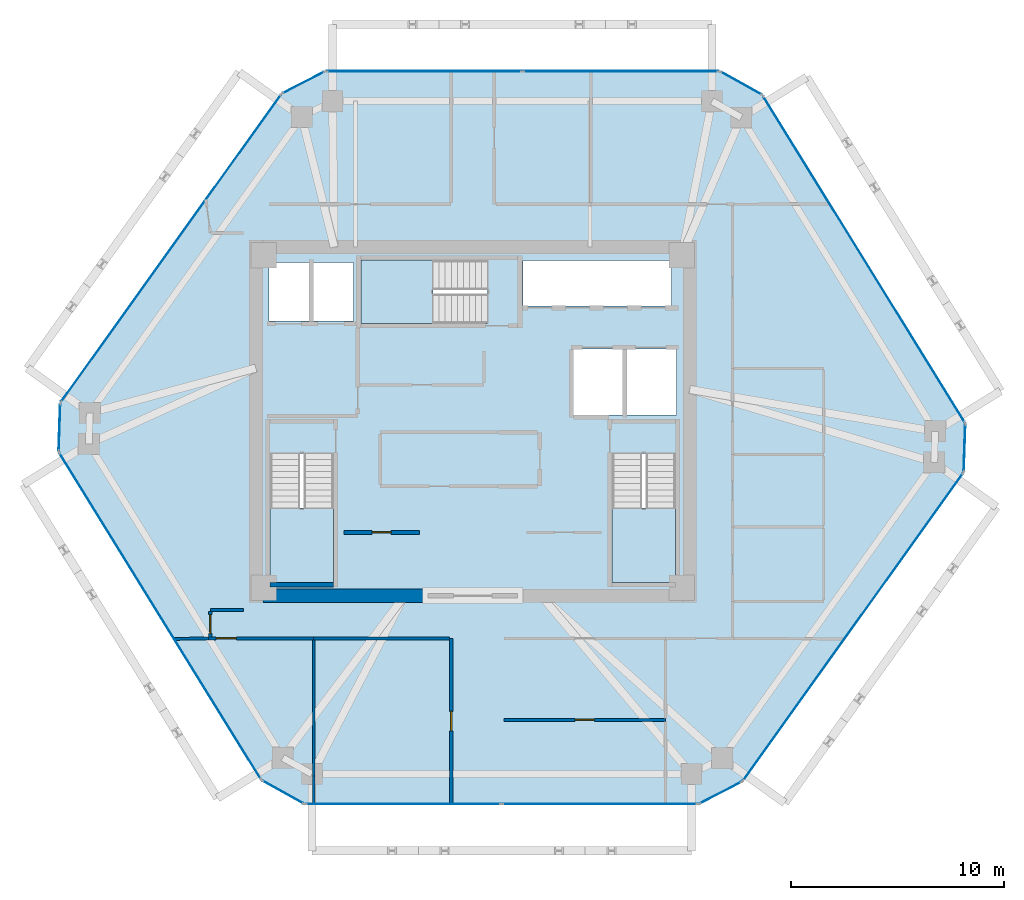
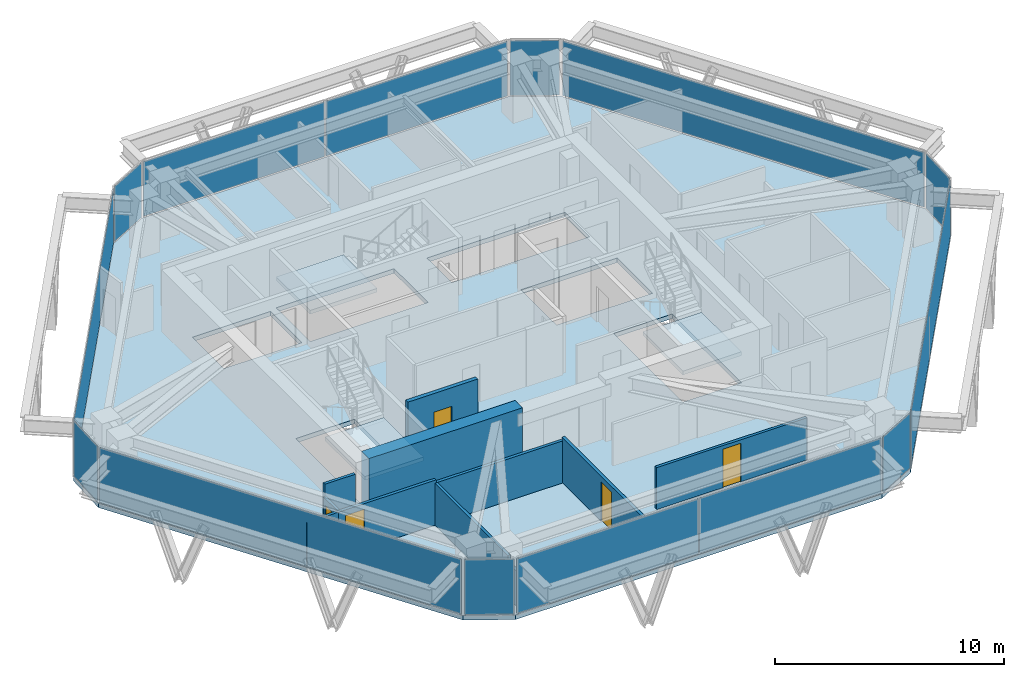
# One storey, part 7 of 11: 14 plates, 12 walls, 5 doors, 4 slabs, 5 openings, 15 elements without a shape of their own.
"""IFC4 building model written with IfcOpenShell, lengths in metres."""

from ifc_helpers import new_model, si_unit, direction, frame, frame_2d, origin, origin_2d, place, context, subcontext, project, spatial, polyline, rectangle, outline, extrude, source, transform, mapped, material, layer, layer_set, type_object, type_shapes, element, fill, aggregate, save


model = new_model("IFC4")

# Units and contexts
model_context = context("Model", 3, precision=1e-05, world=origin(), true_north=direction((0.0, 1.0)))
body_context = subcontext(model_context, "Body", "Model", "MODEL_VIEW")
ifc_project = project(units=[si_unit("LENGTHUNIT", "METRE"), si_unit("AREAUNIT", "SQUARE_METRE"), si_unit("VOLUMEUNIT", "CUBIC_METRE"), si_unit("PLANEANGLEUNIT", "RADIAN"), si_unit("MASSUNIT", "GRAM", prefix="KILO")], contexts=[model_context])

# Site, building, storey
site_placement = place(None, origin())
site = spatial("IfcSite", under=ifc_project, at=site_placement, CompositionType="ELEMENT")
building_placement = place(site_placement, origin())
building = spatial("IfcBuilding", under=site, at=building_placement, Name="Durnholm Broadcast Tower", CompositionType="ELEMENT")
storey_placement = place(building_placement, frame((0.0, 0.0, 196.89990234375)))
storey = spatial("IfcBuildingStorey", under=building, at=storey_placement, Name="L54", CompositionType="ELEMENT", Elevation=196.89990234375)

# Slab
ifc_material_1 = material(Name="Concrete C50/60", Category="concrete")
ifc_layer_1 = layer(ifc_material_1, 0.239990234375)
ifc_layer_set_1 = layer_set([ifc_layer_1], Name="Concrete C50/60")
slab_type_1 = type_object("IfcSlabType", Name="SLAB-FLR-240", PredefinedType="FLOOR", material=ifc_layer_set_1)
slab_1_placement = place(storey_placement, frame((0.0, 0.0, -0.239990234375)))
element("IfcSlab", 1, at=slab_1_placement, inside=storey, type_object=slab_type_1, Name="L54 structural floor slab", PredefinedType="FLOOR", context=body_context, shape_type="SweptSolid", body=[
    extrude(outline(polyline([(-9.912353515625, -16.822021484375), (-7.9033203125, -17.94189453125), (10.59521484375, -17.94189453125), (12.64111328125, -16.890625), (23.022705078125, -2.390380859375), (23.1005859375, -0.091552734375), (13.59033203125, 15.2978515625), (11.581298828125, 16.41796875), (-6.917236328125, 16.41796875), (-8.962890625, 15.36669921875), (-19.3447265625, 0.8662109375), (-19.422607421875, -1.432373046875), (-9.912353515625, -16.822021484375)]), holes=[polyline([(-6.5400390625, -1.5), (-9.5, -1.5), (-9.5, -7.550048828125), (-6.5400390625, -7.550048828125), (-6.5400390625, -1.5)]), polyline([(9.5, -7.550048828125), (9.5, -1.5), (6.5400390625, -1.5), (6.5400390625, -7.550048828125), (9.5, -7.550048828125)]), polyline([(9.550048828125, 3.39990234375), (4.699951171875, 3.39990234375), (4.699951171875, 0.300048828125), (9.550048828125, 0.300048828125), (9.550048828125, 3.39990234375)]), polyline([(-9.550048828125, 7.449951171875), (-9.550048828125, 4.699951171875), (-5.60009765625, 4.699951171875), (-5.60009765625, 7.449951171875), (-9.550048828125, 7.449951171875)]), polyline([(-5.25, 4.60009765625), (0.699951171875, 4.60009765625), (0.699951171875, 7.56005859375), (-5.25, 7.56005859375), (-5.25, 4.60009765625)]), polyline([(9.31005859375, 7.550048828125), (2.35009765625, 7.550048828125), (2.35009765625, 5.39990234375), (9.31005859375, 5.39990234375), (9.31005859375, 7.550048828125)])]), origin(), (0.0, 0.0, 1.0), 0.239990234375),
])

# Stair, slab
stair_type = type_object("IfcStairType", Name="STAIR-DL-20R1650", PredefinedType="HALF_TURN_STAIR", material=ifc_material_1)
stair_1_placement = place(storey_placement, origin())
stair_1 = element("IfcStair", 2, at=stair_1_placement, inside=storey, type_object=stair_type, Name="L54 ST-1", PredefinedType="HALF_TURN_STAIR")
ifc_layer_2 = layer(ifc_material_1, 0.199951171875)
ifc_layer_set_2 = layer_set([ifc_layer_2], Name="Concrete C50/60")
slab_type_2 = type_object("IfcSlabType", Name="SLAB-LND-200", PredefinedType="LANDING", material=ifc_layer_set_2)
slab_2_placement = place(storey_placement, frame((0.0, 0.0, 1.4501953125)))
slab_2 = element("IfcSlab", 3, at=slab_2_placement, type_object=slab_type_2, Name="ST-1 landing 1", PredefinedType="LANDING", context=body_context, shape_type="SweptSolid", body=[
    extrude(outline(polyline([(-9.5, -4.06494140625), (-9.5, -7.550048828125), (-6.5400390625, -7.550048828125), (-6.5400390625, -4.06494140625), (-9.5, -4.06494140625)])), origin(), (0.0, 0.0, 1.0), 0.199951171875),
])
aggregate(stair_1, [slab_2])

stair_2_placement = place(storey_placement, origin())
stair_2 = element("IfcStair", 4, at=stair_2_placement, inside=storey, type_object=stair_type, Name="L54 ST-2", PredefinedType="HALF_TURN_STAIR")
slab_3_placement = place(storey_placement, frame((0.0, 0.0, 1.4501953125)))
slab_3 = element("IfcSlab", 5, at=slab_3_placement, type_object=slab_type_2, Name="ST-2 landing 1", PredefinedType="LANDING", context=body_context, shape_type="SweptSolid", body=[
    extrude(outline(polyline([(6.5400390625, -4.06494140625), (6.5400390625, -7.550048828125), (9.5, -7.550048828125), (9.5, -4.06494140625), (6.5400390625, -4.06494140625)])), origin(), (0.0, 0.0, 1.0), 0.199951171875),
])
aggregate(stair_2, [slab_3])

stair_3_placement = place(storey_placement, origin())
stair_3 = element("IfcStair", 6, at=stair_3_placement, inside=storey, type_object=stair_type, Name="L54 ST-3", PredefinedType="HALF_TURN_STAIR")
slab_4_placement = place(storey_placement, frame((0.0, 0.0, 1.4501953125)))
slab_4 = element("IfcSlab", 7, at=slab_4_placement, type_object=slab_type_2, Name="ST-3 landing 1", PredefinedType="LANDING", context=body_context, shape_type="SweptSolid", body=[
    extrude(outline(polyline([(-1.864990234375, 7.56005859375), (-5.25, 7.56005859375), (-5.25, 4.60009765625), (-1.864990234375, 4.60009765625), (-1.864990234375, 7.56005859375)])), origin(), (0.0, 0.0, 1.0), 0.199951171875),
])
aggregate(stair_3, [slab_4])

# Curtain wall, plate
ifc_material_2 = material(Name="Aluminium and Solar Control IGU", Category="aluminium")
ifc_layer_3 = layer(ifc_material_2, 0.1650390625)
ifc_layer_set_3 = layer_set([ifc_layer_3], Name="Aluminium and Solar Control IGU")
curtain_wall_type_1 = type_object("IfcCurtainWallType", Name="CW-SYS-5", PredefinedType="NOTDEFINED", material=ifc_layer_set_3)
curtain_wall_1_placement = place(storey_placement, origin())
curtain_wall_1 = element("IfcCurtainWall", 8, at=curtain_wall_1_placement, inside=storey, type_object=curtain_wall_type_1, Name="L54 curtain wall CW-CORNER CW-L54-CRN-01", PredefinedType="NOTDEFINED")
ifc_material_3 = material(Name="Low-E Laminated Insulating Glass", Category="glass")
ifc_layer_4 = layer(ifc_material_3, 0.030029296875)
ifc_layer_set_4 = layer_set([ifc_layer_4], Name="Low-E Laminated Insulating Glass")
plate_type_1 = type_object("IfcPlateType", Name="CW-SYS-5-PNL", PredefinedType="CURTAIN_PANEL", material=ifc_layer_set_4)
shared_shape_1 = source(origin(), body_context, "Body", "SweptSolid", [
    extrude(rectangle(XDim=2.169921875, YDim=0.030029296875, at=origin_2d()), origin(), (0.0, 0.0, 1.0), 2.929931640625),
])
plate_1_placement = place(storey_placement, frame((-19.3837890625, -0.282958984375, 0.06494140625), z_axis=(0.0, 0.0, 1.0), x_axis=(0.033912704699, 0.999424798802, 0.0)))
plate_1 = element("IfcPlate", 9, at=plate_1_placement, type_object=plate_type_1, Name="CW-CORNER panel 1.1", PredefinedType="CURTAIN_PANEL", context=body_context, shape_type="MappedRepresentation", body=[
    mapped(shared_shape_1, transform((0.0, 0.0, 0.0), x_axis=(1.0, 0.0, 0.0), y_axis=(0.0, 1.0, 0.0), z_axis=(0.0, 0.0, 1.0), scale=1.0)),
])
aggregate(curtain_wall_1, [plate_1])

curtain_wall_2_placement = place(storey_placement, origin())
curtain_wall_2 = element("IfcCurtainWall", 10, at=curtain_wall_2_placement, inside=storey, type_object=curtain_wall_type_1, Name="L54 curtain wall CW-CORNER CW-L54-CRN-03", PredefinedType="NOTDEFINED")
plate_2_placement = place(storey_placement, frame((-7.940185546875, 15.892333984375, 0.06494140625), z_axis=(0.0, 0.0, 1.0), x_axis=(0.889424679545, 0.457081764476, 0.0)))
plate_2 = element("IfcPlate", 11, at=plate_2_placement, type_object=plate_type_1, Name="CW-CORNER panel 1.1", PredefinedType="CURTAIN_PANEL", context=body_context, shape_type="MappedRepresentation", body=[
    mapped(shared_shape_1, transform((0.0, 0.0, 0.0), x_axis=(1.0, 0.0, 0.0), y_axis=(0.0, 1.0, 0.0), z_axis=(0.0, 0.0, 1.0), scale=1.0)),
])
aggregate(curtain_wall_2, [plate_2])

curtain_wall_3_placement = place(storey_placement, origin())
curtain_wall_3 = element("IfcCurtainWall", 12, at=curtain_wall_3_placement, inside=storey, type_object=curtain_wall_type_1, Name="L54 curtain wall CW-CORNER CW-L54-CRN-07", PredefinedType="NOTDEFINED")
plate_3_placement = place(storey_placement, frame((23.061767578125, -1.240966796875, 0.06494140625), z_axis=(0.0, 0.0, 1.0), x_axis=(-0.033912704699, -0.999424798802, 0.0)))
plate_3 = element("IfcPlate", 13, at=plate_3_placement, type_object=plate_type_1, Name="CW-CORNER panel 1.1", PredefinedType="CURTAIN_PANEL", context=body_context, shape_type="MappedRepresentation", body=[
    mapped(shared_shape_1, transform((0.0, 0.0, 0.0), x_axis=(1.0, 0.0, 0.0), y_axis=(0.0, 1.0, 0.0), z_axis=(0.0, 0.0, 1.0), scale=1.0)),
])
aggregate(curtain_wall_3, [plate_3])

curtain_wall_4_placement = place(storey_placement, origin())
curtain_wall_4 = element("IfcCurtainWall", 14, at=curtain_wall_4_placement, inside=storey, type_object=curtain_wall_type_1, Name="L54 curtain wall CW-CORNER CW-L54-CRN-09", PredefinedType="NOTDEFINED")
plate_4_placement = place(storey_placement, frame((11.6181640625, -17.416259765625, 0.06494140625), z_axis=(0.0, 0.0, 1.0), x_axis=(-0.889424679545, -0.457081764476, 0.0)))
plate_4 = element("IfcPlate", 15, at=plate_4_placement, type_object=plate_type_1, Name="CW-CORNER panel 1.1", PredefinedType="CURTAIN_PANEL", context=body_context, shape_type="MappedRepresentation", body=[
    mapped(shared_shape_1, transform((0.0, 0.0, 0.0), x_axis=(1.0, 0.0, 0.0), y_axis=(0.0, 1.0, 0.0), z_axis=(0.0, 0.0, 1.0), scale=1.0)),
])
aggregate(curtain_wall_4, [plate_4])

ifc_layer_5 = layer(ifc_material_2, 0.18994140625)
ifc_layer_set_5 = layer_set([ifc_layer_5], Name="Aluminium and Solar Control IGU")
curtain_wall_type_2 = type_object("IfcCurtainWallType", Name="CW-SYS-4", PredefinedType="NOTDEFINED", material=ifc_layer_set_5)
curtain_wall_5_placement = place(storey_placement, origin())
curtain_wall_5 = element("IfcCurtainWall", 16, at=curtain_wall_5_placement, inside=storey, type_object=curtain_wall_type_2, Name="L54 curtain wall CW-Z34-VIS CW-L54-F02", PredefinedType="NOTDEFINED")
ifc_layer_6 = layer(ifc_material_3, 0.033935546875)
ifc_layer_set_6 = layer_set([ifc_layer_6], Name="Low-E Laminated Insulating Glass")
plate_type_2 = type_object("IfcPlateType", Name="CW-SYS-4-PNL", PredefinedType="CURTAIN_PANEL", material=ifc_layer_set_6)
shared_shape_2 = source(origin(), body_context, "Body", "SweptSolid", [
    extrude(rectangle(XDim=17.693603515625, YDim=0.033935546875, at=origin_2d()), origin(), (0.0, 0.0, 1.0), 2.919921875),
])
plate_5_placement = place(storey_placement, frame((-14.15380859375, 8.116455078125, 0.070068359375), z_axis=(0.0, 0.0, 1.0), x_axis=(0.582139030549, 0.813089262696, 0.0)))
plate_5 = element("IfcPlate", 17, at=plate_5_placement, type_object=plate_type_2, Name="CW-Z34-VIS panel 1.1", PredefinedType="CURTAIN_PANEL", context=body_context, shape_type="MappedRepresentation", body=[
    mapped(shared_shape_2, transform((0.0, 0.0, 0.0), x_axis=(1.0, 0.0, 0.0), y_axis=(0.0, 1.0, 0.0), z_axis=(0.0, 0.0, 1.0), scale=1.0)),
])
aggregate(curtain_wall_5, [plate_5])

curtain_wall_6_placement = place(storey_placement, origin())
curtain_wall_6 = element("IfcCurtainWall", 18, at=curtain_wall_6_placement, inside=storey, type_object=curtain_wall_type_2, Name="L54 curtain wall CW-Z34-VIS CW-L54-F08", PredefinedType="NOTDEFINED")
plate_6_placement = place(storey_placement, frame((17.831787109375, -9.640380859375, 0.070068359375), z_axis=(0.0, 0.0, 1.0), x_axis=(-0.582139030549, -0.813089262696, 0.0)))
plate_6 = element("IfcPlate", 19, at=plate_6_placement, type_object=plate_type_2, Name="CW-Z34-VIS panel 1.1", PredefinedType="CURTAIN_PANEL", context=body_context, shape_type="MappedRepresentation", body=[
    mapped(shared_shape_2, transform((0.0, 0.0, 0.0), x_axis=(1.0, 0.0, 0.0), y_axis=(0.0, 1.0, 0.0), z_axis=(0.0, 0.0, 1.0), scale=1.0)),
])
aggregate(curtain_wall_6, [plate_6])

# Curtain wall, plates
curtain_wall_7_placement = place(storey_placement, origin())
curtain_wall_7 = element("IfcCurtainWall", 20, at=curtain_wall_7_placement, inside=storey, type_object=curtain_wall_type_2, Name="L54 curtain wall CW-Z34-VIS CW-L54-F04", PredefinedType="NOTDEFINED")
shared_shape_3 = source(origin(), body_context, "Body", "SweptSolid", [
    extrude(rectangle(XDim=9.144287109375, YDim=0.033935546875, at=origin_2d()), origin(), (0.0, 0.0, 1.0), 2.919921875),
])
plate_7_placement = place(storey_placement, frame((-2.275146484375, 16.41796875, 0.070068359375), z_axis=(0.0, 0.0, 1.0), x_axis=(1.0, 0.0, 0.0)))
plate_7 = element("IfcPlate", 21, at=plate_7_placement, type_object=plate_type_2, Name="CW-Z34-VIS panel 1.1", PredefinedType="CURTAIN_PANEL", context=body_context, shape_type="MappedRepresentation", body=[
    mapped(shared_shape_3, transform((0.0, 0.0, 0.0), x_axis=(1.0, 0.0, 0.0), y_axis=(0.0, 1.0, 0.0), z_axis=(0.0, 0.0, 1.0), scale=1.0)),
])
plate_8_placement = place(storey_placement, frame((6.939208984375, 16.41796875, 0.070068359375), z_axis=(0.0, 0.0, 1.0), x_axis=(1.0, 0.0, 0.0)))
plate_8 = element("IfcPlate", 22, at=plate_8_placement, type_object=plate_type_2, Name="CW-Z34-VIS panel 2.1", PredefinedType="CURTAIN_PANEL", context=body_context, shape_type="MappedRepresentation", body=[
    mapped(shared_shape_3, transform((0.0, 0.0, 0.0), x_axis=(1.0, 0.0, 0.0), y_axis=(0.0, 1.0, 0.0), z_axis=(0.0, 0.0, 1.0), scale=1.0)),
])
aggregate(curtain_wall_7, [plate_7, plate_8])

curtain_wall_8_placement = place(storey_placement, origin())
curtain_wall_8 = element("IfcCurtainWall", 23, at=curtain_wall_8_placement, inside=storey, type_object=curtain_wall_type_2, Name="L54 curtain wall CW-Z34-VIS CW-L54-F10", PredefinedType="NOTDEFINED")
plate_9_placement = place(storey_placement, frame((5.953125, -17.94189453125, 0.070068359375), z_axis=(0.0, 0.0, 1.0), x_axis=(-1.0, 0.0, 0.0)))
plate_9 = element("IfcPlate", 24, at=plate_9_placement, type_object=plate_type_2, Name="CW-Z34-VIS panel 1.1", PredefinedType="CURTAIN_PANEL", context=body_context, shape_type="MappedRepresentation", body=[
    mapped(shared_shape_3, transform((0.0, 0.0, 0.0), x_axis=(1.0, 0.0, 0.0), y_axis=(0.0, 1.0, 0.0), z_axis=(0.0, 0.0, 1.0), scale=1.0)),
])
plate_10_placement = place(storey_placement, frame((-3.26123046875, -17.94189453125, 0.070068359375), z_axis=(0.0, 0.0, 1.0), x_axis=(-1.0, 0.0, 0.0)))
plate_10 = element("IfcPlate", 25, at=plate_10_placement, type_object=plate_type_2, Name="CW-Z34-VIS panel 2.1", PredefinedType="CURTAIN_PANEL", context=body_context, shape_type="MappedRepresentation", body=[
    mapped(shared_shape_3, transform((0.0, 0.0, 0.0), x_axis=(1.0, 0.0, 0.0), y_axis=(0.0, 1.0, 0.0), z_axis=(0.0, 0.0, 1.0), scale=1.0)),
])
aggregate(curtain_wall_8, [plate_9, plate_10])

# Curtain wall, plate
curtain_wall_9_placement = place(storey_placement, origin())
curtain_wall_9 = element("IfcCurtainWall", 26, at=curtain_wall_9_placement, inside=storey, type_object=curtain_wall_type_1, Name="L54 curtain wall CW-CORNER CW-L54-CRN-05", PredefinedType="NOTDEFINED")
shared_shape_4 = source(origin(), body_context, "Body", "SweptSolid", [
    extrude(rectangle(XDim=2.170166015625, YDim=0.030029296875, at=origin_2d()), origin(), (0.0, 0.0, 1.0), 2.929931640625),
])
type_shapes(plate_type_1, [shared_shape_1, shared_shape_4])
plate_11_placement = place(storey_placement, frame((12.5859375, 15.85791015625, 0.06494140625), z_axis=(0.0, 0.0, 1.0), x_axis=(0.873409751271, -0.486986043316, 0.0)))
plate_11 = element("IfcPlate", 27, at=plate_11_placement, type_object=plate_type_1, Name="CW-CORNER panel 1.1", PredefinedType="CURTAIN_PANEL", context=body_context, shape_type="MappedRepresentation", body=[
    mapped(shared_shape_4, transform((0.0, 0.0, 0.0), x_axis=(1.0, 0.0, 0.0), y_axis=(0.0, 1.0, 0.0), z_axis=(0.0, 0.0, 1.0), scale=1.0)),
])
aggregate(curtain_wall_9, [plate_11])

curtain_wall_10_placement = place(storey_placement, origin())
curtain_wall_10 = element("IfcCurtainWall", 28, at=curtain_wall_10_placement, inside=storey, type_object=curtain_wall_type_1, Name="L54 curtain wall CW-CORNER CW-L54-CRN-11", PredefinedType="NOTDEFINED")
plate_12_placement = place(storey_placement, frame((-8.907958984375, -17.3818359375, 0.06494140625), z_axis=(0.0, 0.0, 1.0), x_axis=(-0.873409751271, 0.486986043316, 0.0)))
plate_12 = element("IfcPlate", 29, at=plate_12_placement, type_object=plate_type_1, Name="CW-CORNER panel 1.1", PredefinedType="CURTAIN_PANEL", context=body_context, shape_type="MappedRepresentation", body=[
    mapped(shared_shape_4, transform((0.0, 0.0, 0.0), x_axis=(1.0, 0.0, 0.0), y_axis=(0.0, 1.0, 0.0), z_axis=(0.0, 0.0, 1.0), scale=1.0)),
])
aggregate(curtain_wall_10, [plate_12])

curtain_wall_11_placement = place(storey_placement, origin())
curtain_wall_11 = element("IfcCurtainWall", 30, at=curtain_wall_11_placement, inside=storey, type_object=curtain_wall_type_2, Name="L54 curtain wall CW-Z34-VIS CW-L54-F06", PredefinedType="NOTDEFINED")
shared_shape_5 = source(origin(), body_context, "Body", "SweptSolid", [
    extrude(rectangle(XDim=17.950927734375, YDim=0.033935546875, at=origin_2d()), origin(), (0.0, 0.0, 1.0), 2.919921875),
])
type_shapes(plate_type_2, [shared_shape_2, shared_shape_3, shared_shape_5])
plate_13_placement = place(storey_placement, frame((18.345458984375, 7.603271484375, 0.070068359375), z_axis=(0.0, 0.0, 1.0), x_axis=(0.525697750452, -0.850671426092, 0.0)))
plate_13 = element("IfcPlate", 31, at=plate_13_placement, type_object=plate_type_2, Name="CW-Z34-VIS panel 1.1", PredefinedType="CURTAIN_PANEL", context=body_context, shape_type="MappedRepresentation", body=[
    mapped(shared_shape_5, transform((0.0, 0.0, 0.0), x_axis=(1.0, 0.0, 0.0), y_axis=(0.0, 1.0, 0.0), z_axis=(0.0, 0.0, 1.0), scale=1.0)),
])
aggregate(curtain_wall_11, [plate_13])

curtain_wall_12_placement = place(storey_placement, origin())
curtain_wall_12 = element("IfcCurtainWall", 32, at=curtain_wall_12_placement, inside=storey, type_object=curtain_wall_type_2, Name="L54 curtain wall CW-Z34-VIS CW-L54-F12", PredefinedType="NOTDEFINED")
plate_14_placement = place(storey_placement, frame((-14.66748046875, -9.127197265625, 0.070068359375), z_axis=(0.0, 0.0, 1.0), x_axis=(-0.525697750452, 0.850671426092, 0.0)))
plate_14 = element("IfcPlate", 33, at=plate_14_placement, type_object=plate_type_2, Name="CW-Z34-VIS panel 1.1", PredefinedType="CURTAIN_PANEL", context=body_context, shape_type="MappedRepresentation", body=[
    mapped(shared_shape_5, transform((0.0, 0.0, 0.0), x_axis=(1.0, 0.0, 0.0), y_axis=(0.0, 1.0, 0.0), z_axis=(0.0, 0.0, 1.0), scale=1.0)),
])
aggregate(curtain_wall_12, [plate_14])

# Wall
ifc_material_4 = material(Name="Concrete C70/85", Category="concrete")
ifc_layer_7 = layer(ifc_material_4, 0.64990234375)
ifc_layer_set_7 = layer_set([ifc_layer_7], Name="Concrete C70/85")
wall_type_1 = type_object("IfcWallType", Name="WALL-CW-650", PredefinedType="SHEAR", material=ifc_layer_set_7)
wall_1_placement = place(storey_placement, frame((-9.85009765625, -8.175048828125, 0.0), z_axis=(0.0, 0.0, 1.0), x_axis=(1.0, 0.0, 0.0)))
element("IfcWall", 34, at=wall_1_placement, inside=storey, type_object=wall_type_1, Name="L54 central core shear wall CW-S1", PredefinedType="SHEAR", context=body_context, shape_type="SweptSolid", body=[
    extrude(rectangle(XDim=7.75, YDim=0.64990234375, at=frame_2d((3.875, 0.0))), origin(), (0.0, 0.0, 1.0), 3.300048828125),
])

# Wall, opening, door
ifc_material_5 = material(Name="Fire-Rated Gypsum Shaftwall", Category="concrete")
ifc_layer_8 = layer(ifc_material_5, 0.199951171875)
ifc_layer_set_8 = layer_set([ifc_layer_8], Name="Fire-Rated Gypsum Shaftwall")
wall_type_2 = type_object("IfcWallType", Name="WALL-LOB-200", PredefinedType="SOLIDWALL", material=ifc_layer_set_8)
wall_2_placement = place(storey_placement, frame((-6.0400390625, -5.2099609375, 0.0), z_axis=(0.0, 0.0, 1.0), x_axis=(1.0, 0.0, 0.0)))
wall_2 = element("IfcWall", 35, at=wall_2_placement, inside=storey, type_object=wall_type_2, Name="L54 Broadcast Signal Rack Room corridor partition", PredefinedType="SOLIDWALL", context=body_context, shape_type="SweptSolid", body=[
    extrude(rectangle(XDim=3.530029296875, YDim=0.199951171875, at=frame_2d((1.76513671875, 0.0))), origin(), (0.0, 0.0, 1.0), 3.045166015625),
])
opening_1_placement = place(wall_2_placement, frame((1.31494140625, 0.0, 0.0)))
opening_1 = element("IfcOpeningElement", 36, at=opening_1_placement, cuts=wall_2, Name="Opening DC-60R", PredefinedType="OPENING", context=body_context, shape_type="SweptSolid", body=[
    extrude(rectangle(XDim=0.89990234375, YDim=2.050048828125, at=frame_2d((0.449951171875, 1.02490234375))), frame((0.0, 0.10986328125, 0.0), z_axis=(0.0, -1.0, 0.0), x_axis=(1.0, 0.0, 0.0)), (0.0, 0.0, 1.0), 0.219970703125),
])
ifc_material_6 = material(Name="Fire-Rated Core Service Door", Category="steel")
ifc_layer_9 = layer(ifc_material_6, 0.050048828125)
ifc_layer_set_9 = layer_set([ifc_layer_9], Name="Fire-Rated Core Service Door")
door_type_1 = type_object("IfcDoorType", Name="DOOR-CORE-FD60-R", OperationType="NOTDEFINED", PredefinedType="DOOR", material=ifc_layer_set_9)
shared_shape_6 = source(origin(), body_context, "Body", "SweptSolid", [
    extrude(rectangle(XDim=0.89990234375, YDim=2.050048828125, at=frame_2d((0.449951171875, 1.02490234375))), frame((0.0, 0.02490234375, 0.0), z_axis=(0.0, -1.0, 0.0), x_axis=(1.0, 0.0, 0.0)), (0.0, 0.0, 1.0), 0.050048828125),
])
type_shapes(door_type_1, [shared_shape_6])
door_1_placement = place(opening_1_placement, origin())
door_1 = element("IfcDoor", 37, at=door_1_placement, inside=storey, type_object=door_type_1, Name="L54 Broadcast Signal Rack Room entrance door", OperationType="SINGLE_SWING_RIGHT", OverallHeight=2.050048828125, OverallWidth=0.89990234375, PredefinedType="DOOR", context=body_context, shape_type="MappedRepresentation", body=[
    mapped(shared_shape_6, transform((0.0, 0.0, 0.0), x_axis=(1.0, 0.0, 0.0), y_axis=(0.0, 1.0, 0.0), z_axis=(0.0, 0.0, 1.0), scale=1.0)),
])
fill(opening_1, door_1)

# Walls
ifc_material_7 = material(Name="Gypsum Metal Stud Partition", Category="concrete")
ifc_layer_10 = layer(ifc_material_7, 0.135009765625)
ifc_layer_set_10 = layer_set([ifc_layer_10], Name="Gypsum Metal Stud Partition")
wall_type_3 = type_object("IfcWallType", Name="WALL-PART-135", PredefinedType="PARTITIONING", material=ifc_layer_set_10)
wall_3_placement = place(storey_placement, frame((-7.4599609375, -10.259033203125, 0.0), z_axis=(0.0, 0.0, 1.0), x_axis=(0.0, -1.0, 0.0)))
element("IfcWall", 38, at=wall_3_placement, inside=storey, type_object=wall_type_3, Name="L54 room dividing partition 12.13", PredefinedType="PARTITIONING", context=body_context, shape_type="SweptSolid", body=[
    extrude(rectangle(XDim=6.366943359375, YDim=0.135009765625, at=frame_2d((3.18359375, 0.0))), origin(), (0.0, 0.0, 1.0), 2.241943359375),
])
wall_4_placement = place(storey_placement, frame((-7.4599609375, -16.6259765625, 0.0), z_axis=(0.0, 0.0, 1.0), x_axis=(0.0, -1.0, 0.0)))
element("IfcWall", 39, at=wall_4_placement, inside=storey, type_object=wall_type_3, Name="L54 room dividing partition 12.13", PredefinedType="PARTITIONING", context=body_context, shape_type="SweptSolid", body=[
    extrude(rectangle(XDim=1.31591796875, YDim=0.135009765625, at=frame_2d((0.657958984375, 0.0))), origin(), (0.0, 0.0, 1.0), 1.877197265625),
])
wall_5_placement = place(storey_placement, frame((-14.00390625, -10.200927734375, 0.0), z_axis=(0.0, 0.0, 1.0), x_axis=(0.999923084603, 0.012402615782, 0.0)))
element("IfcWall", 40, at=wall_5_placement, inside=storey, type_object=wall_type_3, Name="L54 room dividing partition 12.17", PredefinedType="PARTITIONING", context=body_context, shape_type="SweptSolid", body=[
    extrude(rectangle(XDim=1.6142578125, YDim=0.135009765625, at=frame_2d((0.80712890625, 0.0))), origin(), (0.0, 0.0, 1.0), 2.39892578125),
])

# Wall, opening, door
wall_6_placement = place(storey_placement, frame((1.4599609375, -14.0009765625, 0.0), z_axis=(0.0, 0.0, 1.0), x_axis=(1.0, 0.0, 0.0)))
wall_6 = element("IfcWall", 41, at=wall_6_placement, inside=storey, type_object=wall_type_3, Name="L54 room dividing partition 14.15", PredefinedType="PARTITIONING", context=body_context, shape_type="SweptSolid", body=[
    extrude(rectangle(XDim=7.580078125, YDim=0.135009765625, at=frame_2d((3.7900390625, 0.0))), origin(), (0.0, 0.0, 1.0), 2.241943359375),
])
opening_2_placement = place(wall_6_placement, frame((3.340087890625, 0.0, 0.0)))
opening_2 = element("IfcOpeningElement", 42, at=opening_2_placement, cuts=wall_6, Name="Opening DW-90L", PredefinedType="OPENING", context=body_context, shape_type="SweptSolid", body=[
    extrude(rectangle(XDim=0.89990234375, YDim=2.050048828125, at=frame_2d((0.449951171875, 1.02490234375))), frame((0.0, 0.07763671875, 0.0), z_axis=(0.0, -1.0, 0.0), x_axis=(1.0, 0.0, 0.0)), (0.0, 0.0, 1.0), 0.155029296875),
])
ifc_material_8 = material(Name="Laminate Restroom Door", Category="steel")
ifc_layer_11 = layer(ifc_material_8, 0.050048828125)
ifc_layer_set_11 = layer_set([ifc_layer_11], Name="Laminate Restroom Door")
door_type_2 = type_object("IfcDoorType", Name="DOOR-WC-900L", OperationType="NOTDEFINED", PredefinedType="DOOR", material=ifc_layer_set_11)
shared_shape_7 = source(origin(), body_context, "Body", "SweptSolid", [
    extrude(rectangle(XDim=0.89990234375, YDim=2.050048828125, at=frame_2d((0.449951171875, 1.02490234375))), frame((0.0, 0.02490234375, 0.0), z_axis=(0.0, -1.0, 0.0), x_axis=(1.0, 0.0, 0.0)), (0.0, 0.0, 1.0), 0.050048828125),
])
type_shapes(door_type_2, [shared_shape_7])
door_2_placement = place(opening_2_placement, origin())
door_2 = element("IfcDoor", 43, at=door_2_placement, inside=storey, type_object=door_type_2, Name="L54 Voiceover Studio Office connecting door", OperationType="SINGLE_SWING_LEFT", OverallHeight=2.050048828125, OverallWidth=0.89990234375, PredefinedType="DOOR", context=body_context, shape_type="MappedRepresentation", body=[
    mapped(shared_shape_7, transform((0.0, 0.0, 0.0), x_axis=(1.0, 0.0, 0.0), y_axis=(0.0, 1.0, 0.0), z_axis=(0.0, 0.0, 1.0), scale=1.0)),
])
fill(opening_2, door_2)

ifc_material_9 = material(Name="Acoustic Gypsum Stud Partition", Category="concrete")
ifc_layer_12 = layer(ifc_material_9, 0.14990234375)
ifc_layer_set_12 = layer_set([ifc_layer_12], Name="Acoustic Gypsum Stud Partition")
wall_type_4 = type_object("IfcWallType", Name="WALL-PART-150", PredefinedType="PARTITIONING", material=ifc_layer_set_12)
wall_7_placement = place(storey_placement, frame((-12.389892578125, -10.179931640625, 0.0), z_axis=(0.0, 0.0, 1.0), x_axis=(1.0, 0.0, 0.0)))
wall_7 = element("IfcWall", 44, at=wall_7_placement, inside=storey, type_object=wall_type_4, Name="L54 Typography Meeting Room 2 corridor partition", PredefinedType="PARTITIONING", context=body_context, shape_type="SweptSolid", body=[
    extrude(rectangle(XDim=4.929931640625, YDim=0.14990234375, at=frame_2d((2.46484375, 0.0))), origin(), (0.0, 0.0, 1.0), 2.39892578125),
])
opening_3_placement = place(wall_7_placement, frame((0.35009765625, 0.0, 0.0)))
opening_3 = element("IfcOpeningElement", 45, at=opening_3_placement, cuts=wall_7, Name="Opening DR-95L", PredefinedType="OPENING", context=body_context, shape_type="SweptSolid", body=[
    extrude(rectangle(XDim=0.949951171875, YDim=2.10009765625, at=frame_2d((0.47509765625, 1.050048828125))), frame((0.0, 0.0849609375, 0.0), z_axis=(0.0, -1.0, 0.0), x_axis=(1.0, 0.0, 0.0)), (0.0, 0.0, 1.0), 0.169921875),
])
ifc_material_10 = material(Name="Acoustic Oak Veneer Timber Door", Category="wood")
ifc_layer_13 = layer(ifc_material_10, 0.050048828125)
ifc_layer_set_13 = layer_set([ifc_layer_13], Name="Acoustic Oak Veneer Timber Door")
door_type_3 = type_object("IfcDoorType", Name="DOOR-RM-950L", OperationType="NOTDEFINED", PredefinedType="DOOR", material=ifc_layer_set_13)
shared_shape_8 = source(origin(), body_context, "Body", "SweptSolid", [
    extrude(rectangle(XDim=0.949951171875, YDim=2.10009765625, at=frame_2d((0.47509765625, 1.050048828125))), frame((0.0, 0.02490234375, 0.0), z_axis=(0.0, -1.0, 0.0), x_axis=(1.0, 0.0, 0.0)), (0.0, 0.0, 1.0), 0.050048828125),
])
type_shapes(door_type_3, [shared_shape_8])
door_3_placement = place(opening_3_placement, origin())
door_3 = element("IfcDoor", 46, at=door_3_placement, inside=storey, type_object=door_type_3, Name="L54 Typography Meeting Room 2 entrance door", OperationType="SINGLE_SWING_LEFT", OverallHeight=2.10009765625, OverallWidth=0.949951171875, PredefinedType="DOOR", context=body_context, shape_type="MappedRepresentation", body=[
    mapped(shared_shape_8, transform((0.0, 0.0, 0.0), x_axis=(1.0, 0.0, 0.0), y_axis=(0.0, 1.0, 0.0), z_axis=(0.0, 0.0, 1.0), scale=1.0)),
])
fill(opening_3, door_3)

wall_8_placement = place(storey_placement, frame((-1.010009765625, -10.179931640625, 0.0), z_axis=(0.0, 0.0, 1.0), x_axis=(0.0, -1.0, 0.0)))
wall_8 = element("IfcWall", 47, at=wall_8_placement, inside=storey, type_object=wall_type_4, Name="L54 Promo Kitchen corridor partition", PredefinedType="PARTITIONING", context=body_context, shape_type="SweptSolid", body=[
    extrude(rectangle(XDim=7.761962890625, YDim=0.14990234375, at=frame_2d((3.880859375, 0.0))), origin(), (0.0, 0.0, 1.0), 2.39892578125),
])
opening_4_placement = place(wall_8_placement, frame((3.4208984375, 0.0, 0.0)))
opening_4 = element("IfcOpeningElement", 48, at=opening_4_placement, cuts=wall_8, Name="Opening DR-92R", PredefinedType="OPENING", context=body_context, shape_type="SweptSolid", body=[
    extrude(rectangle(XDim=0.919921875, YDim=2.10009765625, at=frame_2d((0.4599609375, 1.050048828125))), frame((0.0, 0.0849609375, 0.0), z_axis=(0.0, -1.0, 0.0), x_axis=(1.0, 0.0, 0.0)), (0.0, 0.0, 1.0), 0.169921875),
])
ifc_material_11 = material(Name="Oak Veneer Office Door", Category="wood")
ifc_layer_14 = layer(ifc_material_11, 0.050048828125)
ifc_layer_set_14 = layer_set([ifc_layer_14], Name="Oak Veneer Office Door")
door_type_4 = type_object("IfcDoorType", Name="DOOR-RM-920R", OperationType="NOTDEFINED", PredefinedType="DOOR", material=ifc_layer_set_14)
shared_shape_9 = source(origin(), body_context, "Body", "SweptSolid", [
    extrude(rectangle(XDim=0.919921875, YDim=2.10009765625, at=frame_2d((0.4599609375, 1.050048828125))), frame((0.0, 0.02490234375, 0.0), z_axis=(0.0, -1.0, 0.0), x_axis=(1.0, 0.0, 0.0)), (0.0, 0.0, 1.0), 0.050048828125),
])
type_shapes(door_type_4, [shared_shape_9])
door_4_placement = place(opening_4_placement, origin())
door_4 = element("IfcDoor", 49, at=door_4_placement, inside=storey, type_object=door_type_4, Name="L54 Promo Kitchen entrance door", OperationType="SINGLE_SWING_RIGHT", OverallHeight=2.10009765625, OverallWidth=0.919921875, PredefinedType="DOOR", context=body_context, shape_type="MappedRepresentation", body=[
    mapped(shared_shape_9, transform((0.0, 0.0, 0.0), x_axis=(1.0, 0.0, 0.0), y_axis=(0.0, 1.0, 0.0), z_axis=(0.0, 0.0, 1.0), scale=1.0)),
])
fill(opening_4, door_4)

# Walls
wall_9_placement = place(storey_placement, frame((-7.4599609375, -10.179931640625, 0.0), z_axis=(0.0, 0.0, 1.0), x_axis=(1.0, 0.0, 0.0)))
element("IfcWall", 50, at=wall_9_placement, inside=storey, type_object=wall_type_4, Name="L54 Promo Kitchen corridor partition", PredefinedType="PARTITIONING", context=body_context, shape_type="SweptSolid", body=[
    extrude(rectangle(XDim=6.370849609375, YDim=0.14990234375, at=frame_2d((3.185546875, 0.0))), origin(), (0.0, 0.0, 1.0), 2.241943359375),
])
wall_10_placement = place(storey_placement, frame((-10.760009765625, -8.840087890625, 0.0), z_axis=(0.0, 0.0, 1.0), x_axis=(-1.0, 0.0, 0.0)))
element("IfcWall", 51, at=wall_10_placement, inside=storey, type_object=wall_type_4, Name="L54 Brand Review Lounge 2 corridor partition", PredefinedType="PARTITIONING", context=body_context, shape_type="SweptSolid", body=[
    extrude(rectangle(XDim=1.550048828125, YDim=0.14990234375, at=frame_2d((0.77490234375, 0.0))), origin(), (0.0, 0.0, 1.0), 3.045166015625),
])

# Wall, opening, door
wall_11_placement = place(storey_placement, frame((-12.31005859375, -8.9189453125, 0.0), z_axis=(0.0, 0.0, 1.0), x_axis=(0.0, -1.0, 0.0)))
wall_11 = element("IfcWall", 52, at=wall_11_placement, inside=storey, type_object=wall_type_4, Name="L54 Brand Review Lounge 2 corridor partition", PredefinedType="PARTITIONING", context=body_context, shape_type="SweptSolid", body=[
    extrude(rectangle(XDim=1.18212890625, YDim=0.14990234375, at=frame_2d((0.591064453125, 0.0))), origin(), (0.0, 0.0, 1.0), 2.39892578125),
])
opening_5_placement = place(wall_11_placement, frame((0.14111328125, 0.0, 0.0)))
opening_5 = element("IfcOpeningElement", 53, at=opening_5_placement, cuts=wall_11, Name="Opening DW-90R", PredefinedType="OPENING", context=body_context, shape_type="SweptSolid", body=[
    extrude(rectangle(XDim=0.89990234375, YDim=2.050048828125, at=frame_2d((0.449951171875, 1.02490234375))), frame((0.0, 0.0849609375, 0.0), z_axis=(0.0, -1.0, 0.0), x_axis=(1.0, 0.0, 0.0)), (0.0, 0.0, 1.0), 0.169921875),
])
ifc_layer_15 = layer(ifc_material_8, 0.050048828125)
ifc_layer_set_15 = layer_set([ifc_layer_15], Name="Laminate Restroom Door")
door_type_5 = type_object("IfcDoorType", Name="DOOR-WC-900R", OperationType="NOTDEFINED", PredefinedType="DOOR", material=ifc_layer_set_15)
shared_shape_10 = source(origin(), body_context, "Body", "SweptSolid", [
    extrude(rectangle(XDim=0.89990234375, YDim=2.050048828125, at=frame_2d((0.449951171875, 1.02490234375))), frame((0.0, 0.02490234375, 0.0), z_axis=(0.0, -1.0, 0.0), x_axis=(1.0, 0.0, 0.0)), (0.0, 0.0, 1.0), 0.050048828125),
])
type_shapes(door_type_5, [shared_shape_10])
door_5_placement = place(opening_5_placement, origin())
door_5 = element("IfcDoor", 54, at=door_5_placement, inside=storey, type_object=door_type_5, Name="L54 Brand Review Lounge 2 entrance door", OperationType="SINGLE_SWING_RIGHT", OverallHeight=2.050048828125, OverallWidth=0.89990234375, PredefinedType="DOOR", context=body_context, shape_type="MappedRepresentation", body=[
    mapped(shared_shape_10, transform((0.0, 0.0, 0.0), x_axis=(1.0, 0.0, 0.0), y_axis=(0.0, 1.0, 0.0), z_axis=(0.0, 0.0, 1.0), scale=1.0)),
])
fill(opening_5, door_5)

# Wall
ifc_layer_16 = layer(ifc_material_1, 0.219970703125)
ifc_layer_set_16 = layer_set([ifc_layer_16], Name="Concrete C50/60")
wall_type_5 = type_object("IfcWallType", Name="WALL-SW-220", PredefinedType="SHEAR", material=ifc_layer_set_16)
wall_12_placement = place(storey_placement, frame((-9.5, -7.659912109375, -0.239990234375), z_axis=(0.0, 0.0, 1.0), x_axis=(1.0, 0.0, 0.0)))
element("IfcWall", 55, at=wall_12_placement, inside=storey, type_object=wall_type_5, Name="L54 stair ST-1 structural shaft wall S", PredefinedType="SHEAR", context=body_context, shape_type="SweptSolid", body=[
    extrude(rectangle(XDim=2.9599609375, YDim=0.219970703125, at=frame_2d((1.47998046875, 0.0))), origin(), (0.0, 0.0, 1.0), 3.300048828125),
])

save(model, "model.ifc")
